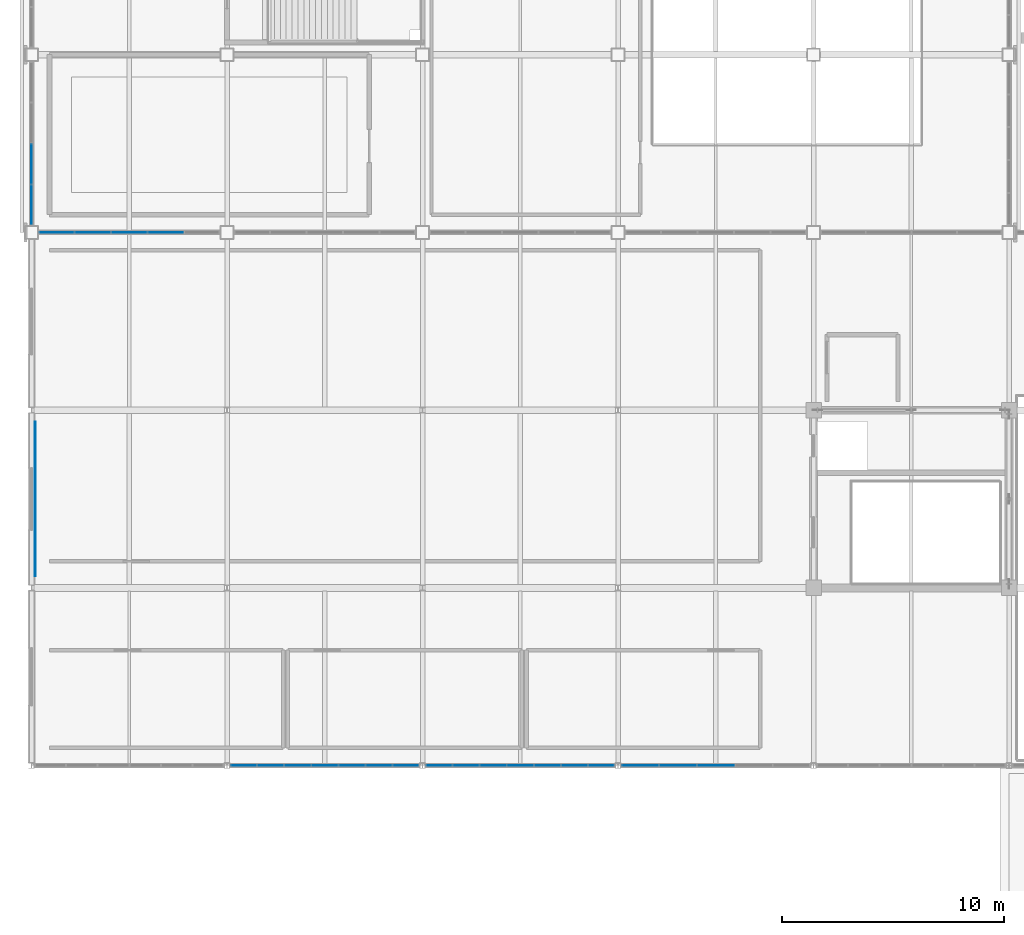
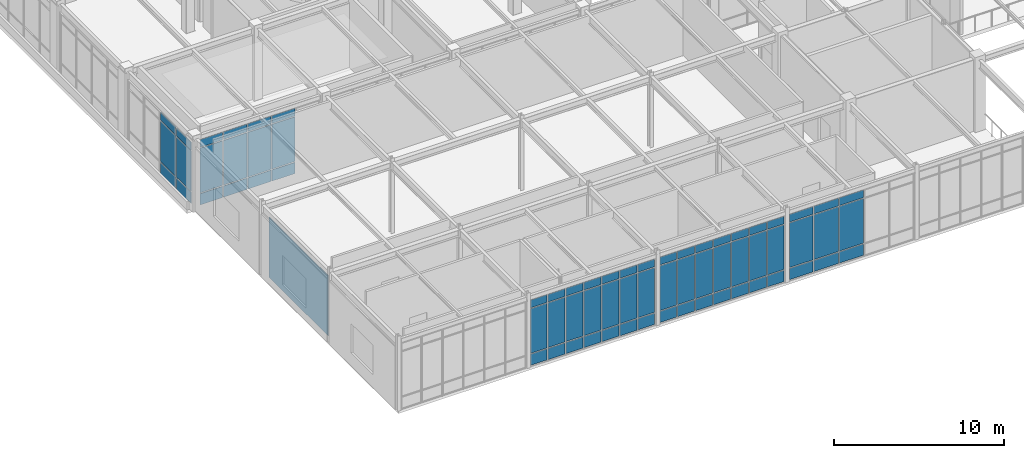
# One storey, part 82 of 184: 70 plates, 5 elements without a shape of their own.
"""IFC4 building model written with IfcOpenShell, lengths in metres."""

from ifc_helpers import new_model, si_unit, direction, frame, origin, origin_2d, place, context, subcontext, project, spatial, rectangle, extrude, material, layer, layer_set, type_object, element, aggregate, save


model = new_model("IFC4")

# Units and contexts
model_context = context("Model", 3, precision=1e-05, world=origin(), true_north=direction((0.0, 1.0)))
body_context = subcontext(model_context, "Body", "Model", "MODEL_VIEW")
ifc_project = project(units=[si_unit("LENGTHUNIT", "METRE"), si_unit("AREAUNIT", "SQUARE_METRE"), si_unit("VOLUMEUNIT", "CUBIC_METRE"), si_unit("PLANEANGLEUNIT", "RADIAN"), si_unit("MASSUNIT", "GRAM", prefix="KILO")], contexts=[model_context])

# Site, building, storey
site_placement = place(None, origin())
site = spatial("IfcSite", under=ifc_project, at=site_placement, CompositionType="ELEMENT")
building_placement = place(site_placement, origin())
building = spatial("IfcBuilding", under=site, at=building_placement, Name="Zhaolan Boulevard Law Courts", CompositionType="ELEMENT")
storey_placement = place(building_placement, frame((0.0, 0.0, 5.39990234375)))
storey = spatial("IfcBuildingStorey", under=building, at=storey_placement, Name="L01", CompositionType="ELEMENT", Elevation=5.39990234375)

# Curtain wall, plates
ifc_material_1 = material(Name="Thermally broken aluminium and low-E glazing", Category="aluminium")
curtain_wall_type_1 = type_object("IfcCurtainWallType", Name="CURTAIN WALL M5", PredefinedType="USERDEFINED", material=ifc_material_1)
curtain_wall_1_placement = place(storey_placement, origin())
curtain_wall_1 = element("IfcCurtainWall", 1, at=curtain_wall_1_placement, inside=storey, type_object=curtain_wall_type_1, Name="Curtain Wall CW-L01-029", ObjectType="CURTAIN WALL", PredefinedType="USERDEFINED")
ifc_material_2 = material(Name="Acoustic laminated low-E glazing", Category="glass")
ifc_layer_1 = layer(ifc_material_2, 0.031982421875)
ifc_layer_set_1 = layer_set([ifc_layer_1])
plate_type_1 = type_object("IfcPlateType", Name="CWPANEL LOW E32", PredefinedType="CURTAIN_PANEL", material=ifc_layer_set_1)
plate_1_placement = place(storey_placement, frame((9.5537109375, 6.0, 0.06494140625), z_axis=(0.0, 0.0, 1.0), x_axis=(1.0, 0.0, 0.0)))
plate_1 = element("IfcPlate", 2, at=plate_1_placement, type_object=plate_type_1, Name="CW-L01-029 panel 1.1", PredefinedType="CURTAIN_PANEL", context=body_context, shape_type="SweptSolid", body=[
    extrude(rectangle(XDim=1.123291015625, YDim=0.031982421875, at=origin_2d()), origin(), (0.0, 0.0, 1.0), 0.802490234375),
])
plate_2_placement = place(storey_placement, frame((9.5537109375, 6.0, 0.9326171875), z_axis=(0.0, 0.0, 1.0), x_axis=(1.0, 0.0, 0.0)))
plate_2 = element("IfcPlate", 3, at=plate_2_placement, type_object=plate_type_1, Name="CW-L01-029 panel 1.2", PredefinedType="CURTAIN_PANEL", context=body_context, shape_type="SweptSolid", body=[
    extrude(rectangle(XDim=1.123291015625, YDim=0.031982421875, at=origin_2d()), origin(), (0.0, 0.0, 1.0), 3.2080078125),
])
plate_3_placement = place(storey_placement, frame((9.5537109375, 6.0, 4.20556640625), z_axis=(0.0, 0.0, 1.0), x_axis=(1.0, 0.0, 0.0)))
plate_3 = element("IfcPlate", 4, at=plate_3_placement, type_object=plate_type_1, Name="CW-L01-029 panel 1.3", PredefinedType="CURTAIN_PANEL", context=body_context, shape_type="SweptSolid", body=[
    extrude(rectangle(XDim=1.123291015625, YDim=0.031982421875, at=origin_2d()), origin(), (0.0, 0.0, 1.0), 0.552490234375),
])
plate_4_placement = place(storey_placement, frame((10.75830078125, 6.0, 0.06494140625), z_axis=(0.0, 0.0, 1.0), x_axis=(1.0, 0.0, 0.0)))
plate_4 = element("IfcPlate", 5, at=plate_4_placement, type_object=plate_type_1, Name="CW-L01-029 panel 2.1", PredefinedType="CURTAIN_PANEL", context=body_context, shape_type="SweptSolid", body=[
    extrude(rectangle(XDim=1.15576171875, YDim=0.031982421875, at=origin_2d()), origin(), (0.0, 0.0, 1.0), 0.802490234375),
])
plate_5_placement = place(storey_placement, frame((10.75830078125, 6.0, 0.9326171875), z_axis=(0.0, 0.0, 1.0), x_axis=(1.0, 0.0, 0.0)))
plate_5 = element("IfcPlate", 6, at=plate_5_placement, type_object=plate_type_1, Name="CW-L01-029 panel 2.2", PredefinedType="CURTAIN_PANEL", context=body_context, shape_type="SweptSolid", body=[
    extrude(rectangle(XDim=1.15576171875, YDim=0.031982421875, at=origin_2d()), origin(), (0.0, 0.0, 1.0), 3.2080078125),
])
plate_6_placement = place(storey_placement, frame((10.75830078125, 6.0, 4.20556640625), z_axis=(0.0, 0.0, 1.0), x_axis=(1.0, 0.0, 0.0)))
plate_6 = element("IfcPlate", 7, at=plate_6_placement, type_object=plate_type_1, Name="CW-L01-029 panel 2.3", PredefinedType="CURTAIN_PANEL", context=body_context, shape_type="SweptSolid", body=[
    extrude(rectangle(XDim=1.15576171875, YDim=0.031982421875, at=origin_2d()), origin(), (0.0, 0.0, 1.0), 0.552490234375),
])
plate_7_placement = place(storey_placement, frame((11.979248046875, 6.0, 0.06494140625), z_axis=(0.0, 0.0, 1.0), x_axis=(1.0, 0.0, 0.0)))
plate_7 = element("IfcPlate", 8, at=plate_7_placement, type_object=plate_type_1, Name="CW-L01-029 panel 3.1", PredefinedType="CURTAIN_PANEL", context=body_context, shape_type="SweptSolid", body=[
    extrude(rectangle(XDim=1.15576171875, YDim=0.031982421875, at=origin_2d()), origin(), (0.0, 0.0, 1.0), 0.802490234375),
])
plate_8_placement = place(storey_placement, frame((11.979248046875, 6.0, 0.9326171875), z_axis=(0.0, 0.0, 1.0), x_axis=(1.0, 0.0, 0.0)))
plate_8 = element("IfcPlate", 9, at=plate_8_placement, type_object=plate_type_1, Name="CW-L01-029 panel 3.2", PredefinedType="CURTAIN_PANEL", context=body_context, shape_type="SweptSolid", body=[
    extrude(rectangle(XDim=1.15576171875, YDim=0.031982421875, at=origin_2d()), origin(), (0.0, 0.0, 1.0), 3.2080078125),
])
plate_9_placement = place(storey_placement, frame((11.979248046875, 6.0, 4.20556640625), z_axis=(0.0, 0.0, 1.0), x_axis=(1.0, 0.0, 0.0)))
plate_9 = element("IfcPlate", 10, at=plate_9_placement, type_object=plate_type_1, Name="CW-L01-029 panel 3.3", PredefinedType="CURTAIN_PANEL", context=body_context, shape_type="SweptSolid", body=[
    extrude(rectangle(XDim=1.15576171875, YDim=0.031982421875, at=origin_2d()), origin(), (0.0, 0.0, 1.0), 0.552490234375),
])
plate_10_placement = place(storey_placement, frame((13.199951171875, 6.0, 0.06494140625), z_axis=(0.0, 0.0, 1.0), x_axis=(1.0, 0.0, 0.0)))
plate_10 = element("IfcPlate", 11, at=plate_10_placement, type_object=plate_type_1, Name="CW-L01-029 panel 4.1", PredefinedType="CURTAIN_PANEL", context=body_context, shape_type="SweptSolid", body=[
    extrude(rectangle(XDim=1.15576171875, YDim=0.031982421875, at=origin_2d()), origin(), (0.0, 0.0, 1.0), 0.802490234375),
])
plate_11_placement = place(storey_placement, frame((13.199951171875, 6.0, 0.9326171875), z_axis=(0.0, 0.0, 1.0), x_axis=(1.0, 0.0, 0.0)))
plate_11 = element("IfcPlate", 12, at=plate_11_placement, type_object=plate_type_1, Name="CW-L01-029 panel 4.2", PredefinedType="CURTAIN_PANEL", context=body_context, shape_type="SweptSolid", body=[
    extrude(rectangle(XDim=1.15576171875, YDim=0.031982421875, at=origin_2d()), origin(), (0.0, 0.0, 1.0), 3.2080078125),
])
plate_12_placement = place(storey_placement, frame((13.199951171875, 6.0, 4.20556640625), z_axis=(0.0, 0.0, 1.0), x_axis=(1.0, 0.0, 0.0)))
plate_12 = element("IfcPlate", 13, at=plate_12_placement, type_object=plate_type_1, Name="CW-L01-029 panel 4.3", PredefinedType="CURTAIN_PANEL", context=body_context, shape_type="SweptSolid", body=[
    extrude(rectangle(XDim=1.15576171875, YDim=0.031982421875, at=origin_2d()), origin(), (0.0, 0.0, 1.0), 0.552490234375),
])
plate_13_placement = place(storey_placement, frame((14.4208984375, 6.0, 0.06494140625), z_axis=(0.0, 0.0, 1.0), x_axis=(1.0, 0.0, 0.0)))
plate_13 = element("IfcPlate", 14, at=plate_13_placement, type_object=plate_type_1, Name="CW-L01-029 panel 5.1", PredefinedType="CURTAIN_PANEL", context=body_context, shape_type="SweptSolid", body=[
    extrude(rectangle(XDim=1.15576171875, YDim=0.031982421875, at=origin_2d()), origin(), (0.0, 0.0, 1.0), 0.802490234375),
])
plate_14_placement = place(storey_placement, frame((14.4208984375, 6.0, 0.9326171875), z_axis=(0.0, 0.0, 1.0), x_axis=(1.0, 0.0, 0.0)))
plate_14 = element("IfcPlate", 15, at=plate_14_placement, type_object=plate_type_1, Name="CW-L01-029 panel 5.2", PredefinedType="CURTAIN_PANEL", context=body_context, shape_type="SweptSolid", body=[
    extrude(rectangle(XDim=1.15576171875, YDim=0.031982421875, at=origin_2d()), origin(), (0.0, 0.0, 1.0), 3.2080078125),
])
plate_15_placement = place(storey_placement, frame((14.4208984375, 6.0, 4.20556640625), z_axis=(0.0, 0.0, 1.0), x_axis=(1.0, 0.0, 0.0)))
plate_15 = element("IfcPlate", 16, at=plate_15_placement, type_object=plate_type_1, Name="CW-L01-029 panel 5.3", PredefinedType="CURTAIN_PANEL", context=body_context, shape_type="SweptSolid", body=[
    extrude(rectangle(XDim=1.15576171875, YDim=0.031982421875, at=origin_2d()), origin(), (0.0, 0.0, 1.0), 0.552490234375),
])
plate_16_placement = place(storey_placement, frame((15.6416015625, 6.0, 0.06494140625), z_axis=(0.0, 0.0, 1.0), x_axis=(1.0, 0.0, 0.0)))
plate_16 = element("IfcPlate", 17, at=plate_16_placement, type_object=plate_type_1, Name="CW-L01-029 panel 6.1", PredefinedType="CURTAIN_PANEL", context=body_context, shape_type="SweptSolid", body=[
    extrude(rectangle(XDim=1.15576171875, YDim=0.031982421875, at=origin_2d()), origin(), (0.0, 0.0, 1.0), 0.802490234375),
])
plate_17_placement = place(storey_placement, frame((15.6416015625, 6.0, 0.9326171875), z_axis=(0.0, 0.0, 1.0), x_axis=(1.0, 0.0, 0.0)))
plate_17 = element("IfcPlate", 18, at=plate_17_placement, type_object=plate_type_1, Name="CW-L01-029 panel 6.2", PredefinedType="CURTAIN_PANEL", context=body_context, shape_type="SweptSolid", body=[
    extrude(rectangle(XDim=1.15576171875, YDim=0.031982421875, at=origin_2d()), origin(), (0.0, 0.0, 1.0), 3.2080078125),
])
plate_18_placement = place(storey_placement, frame((15.6416015625, 6.0, 4.20556640625), z_axis=(0.0, 0.0, 1.0), x_axis=(1.0, 0.0, 0.0)))
plate_18 = element("IfcPlate", 19, at=plate_18_placement, type_object=plate_type_1, Name="CW-L01-029 panel 6.3", PredefinedType="CURTAIN_PANEL", context=body_context, shape_type="SweptSolid", body=[
    extrude(rectangle(XDim=1.15576171875, YDim=0.031982421875, at=origin_2d()), origin(), (0.0, 0.0, 1.0), 0.552490234375),
])
plate_19_placement = place(storey_placement, frame((16.846435546875, 6.0, 0.06494140625), z_axis=(0.0, 0.0, 1.0), x_axis=(1.0, 0.0, 0.0)))
plate_19 = element("IfcPlate", 20, at=plate_19_placement, type_object=plate_type_1, Name="CW-L01-029 panel 7.1", PredefinedType="CURTAIN_PANEL", context=body_context, shape_type="SweptSolid", body=[
    extrude(rectangle(XDim=1.123291015625, YDim=0.031982421875, at=origin_2d()), origin(), (0.0, 0.0, 1.0), 0.802490234375),
])
plate_20_placement = place(storey_placement, frame((16.846435546875, 6.0, 0.9326171875), z_axis=(0.0, 0.0, 1.0), x_axis=(1.0, 0.0, 0.0)))
plate_20 = element("IfcPlate", 21, at=plate_20_placement, type_object=plate_type_1, Name="CW-L01-029 panel 7.2", PredefinedType="CURTAIN_PANEL", context=body_context, shape_type="SweptSolid", body=[
    extrude(rectangle(XDim=1.123291015625, YDim=0.031982421875, at=origin_2d()), origin(), (0.0, 0.0, 1.0), 3.2080078125),
])
plate_21_placement = place(storey_placement, frame((16.846435546875, 6.0, 4.20556640625), z_axis=(0.0, 0.0, 1.0), x_axis=(1.0, 0.0, 0.0)))
plate_21 = element("IfcPlate", 22, at=plate_21_placement, type_object=plate_type_1, Name="CW-L01-029 panel 7.3", PredefinedType="CURTAIN_PANEL", context=body_context, shape_type="SweptSolid", body=[
    extrude(rectangle(XDim=1.123291015625, YDim=0.031982421875, at=origin_2d()), origin(), (0.0, 0.0, 1.0), 0.552490234375),
])
aggregate(curtain_wall_1, [plate_1, plate_2, plate_3, plate_4, plate_5, plate_6, plate_7, plate_8, plate_9, plate_10, plate_11, plate_12, plate_13, plate_14, plate_15, plate_16, plate_17, plate_18, plate_19, plate_20, plate_21])

ifc_material_3 = material(Name="Thermally broken aluminium and low-E glazing", Category="aluminium")
curtain_wall_type_2 = type_object("IfcCurtainWallType", Name="CURTAIN WALL M6", PredefinedType="USERDEFINED", material=ifc_material_3)
curtain_wall_2_placement = place(storey_placement, origin())
curtain_wall_2 = element("IfcCurtainWall", 23, at=curtain_wall_2_placement, inside=storey, type_object=curtain_wall_type_2, Name="Curtain Wall CW-L01-030", ObjectType="CURTAIN WALL", PredefinedType="USERDEFINED")
plate_22_placement = place(storey_placement, frame((18.353759765625, 6.0, 0.06494140625), z_axis=(0.0, 0.0, 1.0), x_axis=(1.0, 0.0, 0.0)))
plate_22 = element("IfcPlate", 24, at=plate_22_placement, type_object=plate_type_1, Name="CW-L01-030 panel 1.1", PredefinedType="CURTAIN_PANEL", context=body_context, shape_type="SweptSolid", body=[
    extrude(rectangle(XDim=1.123291015625, YDim=0.031982421875, at=origin_2d()), origin(), (0.0, 0.0, 1.0), 0.802490234375),
])
plate_23_placement = place(storey_placement, frame((18.353759765625, 6.0, 0.9326171875), z_axis=(0.0, 0.0, 1.0), x_axis=(1.0, 0.0, 0.0)))
plate_23 = element("IfcPlate", 25, at=plate_23_placement, type_object=plate_type_1, Name="CW-L01-030 panel 1.2", PredefinedType="CURTAIN_PANEL", context=body_context, shape_type="SweptSolid", body=[
    extrude(rectangle(XDim=1.123291015625, YDim=0.031982421875, at=origin_2d()), origin(), (0.0, 0.0, 1.0), 3.2080078125),
])
plate_24_placement = place(storey_placement, frame((18.353759765625, 6.0, 4.20556640625), z_axis=(0.0, 0.0, 1.0), x_axis=(1.0, 0.0, 0.0)))
plate_24 = element("IfcPlate", 26, at=plate_24_placement, type_object=plate_type_1, Name="CW-L01-030 panel 1.3", PredefinedType="CURTAIN_PANEL", context=body_context, shape_type="SweptSolid", body=[
    extrude(rectangle(XDim=1.123291015625, YDim=0.031982421875, at=origin_2d()), origin(), (0.0, 0.0, 1.0), 0.552490234375),
])
plate_25_placement = place(storey_placement, frame((19.558349609375, 6.0, 0.06494140625), z_axis=(0.0, 0.0, 1.0), x_axis=(1.0, 0.0, 0.0)))
plate_25 = element("IfcPlate", 27, at=plate_25_placement, type_object=plate_type_1, Name="CW-L01-030 panel 2.1", PredefinedType="CURTAIN_PANEL", context=body_context, shape_type="SweptSolid", body=[
    extrude(rectangle(XDim=1.15576171875, YDim=0.031982421875, at=origin_2d()), origin(), (0.0, 0.0, 1.0), 0.802490234375),
])
plate_26_placement = place(storey_placement, frame((19.558349609375, 6.0, 0.9326171875), z_axis=(0.0, 0.0, 1.0), x_axis=(1.0, 0.0, 0.0)))
plate_26 = element("IfcPlate", 28, at=plate_26_placement, type_object=plate_type_1, Name="CW-L01-030 panel 2.2", PredefinedType="CURTAIN_PANEL", context=body_context, shape_type="SweptSolid", body=[
    extrude(rectangle(XDim=1.15576171875, YDim=0.031982421875, at=origin_2d()), origin(), (0.0, 0.0, 1.0), 3.2080078125),
])
plate_27_placement = place(storey_placement, frame((19.558349609375, 6.0, 4.20556640625), z_axis=(0.0, 0.0, 1.0), x_axis=(1.0, 0.0, 0.0)))
plate_27 = element("IfcPlate", 29, at=plate_27_placement, type_object=plate_type_1, Name="CW-L01-030 panel 2.3", PredefinedType="CURTAIN_PANEL", context=body_context, shape_type="SweptSolid", body=[
    extrude(rectangle(XDim=1.15576171875, YDim=0.031982421875, at=origin_2d()), origin(), (0.0, 0.0, 1.0), 0.552490234375),
])
plate_28_placement = place(storey_placement, frame((20.779052734375, 6.0, 0.06494140625), z_axis=(0.0, 0.0, 1.0), x_axis=(1.0, 0.0, 0.0)))
plate_28 = element("IfcPlate", 30, at=plate_28_placement, type_object=plate_type_1, Name="CW-L01-030 panel 3.1", PredefinedType="CURTAIN_PANEL", context=body_context, shape_type="SweptSolid", body=[
    extrude(rectangle(XDim=1.15576171875, YDim=0.031982421875, at=origin_2d()), origin(), (0.0, 0.0, 1.0), 0.802490234375),
])
plate_29_placement = place(storey_placement, frame((20.779052734375, 6.0, 0.9326171875), z_axis=(0.0, 0.0, 1.0), x_axis=(1.0, 0.0, 0.0)))
plate_29 = element("IfcPlate", 31, at=plate_29_placement, type_object=plate_type_1, Name="CW-L01-030 panel 3.2", PredefinedType="CURTAIN_PANEL", context=body_context, shape_type="SweptSolid", body=[
    extrude(rectangle(XDim=1.15576171875, YDim=0.031982421875, at=origin_2d()), origin(), (0.0, 0.0, 1.0), 3.2080078125),
])
plate_30_placement = place(storey_placement, frame((20.779052734375, 6.0, 4.20556640625), z_axis=(0.0, 0.0, 1.0), x_axis=(1.0, 0.0, 0.0)))
plate_30 = element("IfcPlate", 32, at=plate_30_placement, type_object=plate_type_1, Name="CW-L01-030 panel 3.3", PredefinedType="CURTAIN_PANEL", context=body_context, shape_type="SweptSolid", body=[
    extrude(rectangle(XDim=1.15576171875, YDim=0.031982421875, at=origin_2d()), origin(), (0.0, 0.0, 1.0), 0.552490234375),
])
plate_31_placement = place(storey_placement, frame((22.0, 6.0, 0.06494140625), z_axis=(0.0, 0.0, 1.0), x_axis=(1.0, 0.0, 0.0)))
plate_31 = element("IfcPlate", 33, at=plate_31_placement, type_object=plate_type_1, Name="CW-L01-030 panel 4.1", PredefinedType="CURTAIN_PANEL", context=body_context, shape_type="SweptSolid", body=[
    extrude(rectangle(XDim=1.15576171875, YDim=0.031982421875, at=origin_2d()), origin(), (0.0, 0.0, 1.0), 0.802490234375),
])
plate_32_placement = place(storey_placement, frame((22.0, 6.0, 0.9326171875), z_axis=(0.0, 0.0, 1.0), x_axis=(1.0, 0.0, 0.0)))
plate_32 = element("IfcPlate", 34, at=plate_32_placement, type_object=plate_type_1, Name="CW-L01-030 panel 4.2", PredefinedType="CURTAIN_PANEL", context=body_context, shape_type="SweptSolid", body=[
    extrude(rectangle(XDim=1.15576171875, YDim=0.031982421875, at=origin_2d()), origin(), (0.0, 0.0, 1.0), 3.2080078125),
])
plate_33_placement = place(storey_placement, frame((22.0, 6.0, 4.20556640625), z_axis=(0.0, 0.0, 1.0), x_axis=(1.0, 0.0, 0.0)))
plate_33 = element("IfcPlate", 35, at=plate_33_placement, type_object=plate_type_1, Name="CW-L01-030 panel 4.3", PredefinedType="CURTAIN_PANEL", context=body_context, shape_type="SweptSolid", body=[
    extrude(rectangle(XDim=1.15576171875, YDim=0.031982421875, at=origin_2d()), origin(), (0.0, 0.0, 1.0), 0.552490234375),
])
plate_34_placement = place(storey_placement, frame((23.220947265625, 6.0, 0.06494140625), z_axis=(0.0, 0.0, 1.0), x_axis=(1.0, 0.0, 0.0)))
plate_34 = element("IfcPlate", 36, at=plate_34_placement, type_object=plate_type_1, Name="CW-L01-030 panel 5.1", PredefinedType="CURTAIN_PANEL", context=body_context, shape_type="SweptSolid", body=[
    extrude(rectangle(XDim=1.15576171875, YDim=0.031982421875, at=origin_2d()), origin(), (0.0, 0.0, 1.0), 0.802490234375),
])
plate_35_placement = place(storey_placement, frame((23.220947265625, 6.0, 0.9326171875), z_axis=(0.0, 0.0, 1.0), x_axis=(1.0, 0.0, 0.0)))
plate_35 = element("IfcPlate", 37, at=plate_35_placement, type_object=plate_type_1, Name="CW-L01-030 panel 5.2", PredefinedType="CURTAIN_PANEL", context=body_context, shape_type="SweptSolid", body=[
    extrude(rectangle(XDim=1.15576171875, YDim=0.031982421875, at=origin_2d()), origin(), (0.0, 0.0, 1.0), 3.2080078125),
])
plate_36_placement = place(storey_placement, frame((23.220947265625, 6.0, 4.20556640625), z_axis=(0.0, 0.0, 1.0), x_axis=(1.0, 0.0, 0.0)))
plate_36 = element("IfcPlate", 38, at=plate_36_placement, type_object=plate_type_1, Name="CW-L01-030 panel 5.3", PredefinedType="CURTAIN_PANEL", context=body_context, shape_type="SweptSolid", body=[
    extrude(rectangle(XDim=1.15576171875, YDim=0.031982421875, at=origin_2d()), origin(), (0.0, 0.0, 1.0), 0.552490234375),
])
plate_37_placement = place(storey_placement, frame((24.441650390625, 6.0, 0.06494140625), z_axis=(0.0, 0.0, 1.0), x_axis=(1.0, 0.0, 0.0)))
plate_37 = element("IfcPlate", 39, at=plate_37_placement, type_object=plate_type_1, Name="CW-L01-030 panel 6.1", PredefinedType="CURTAIN_PANEL", context=body_context, shape_type="SweptSolid", body=[
    extrude(rectangle(XDim=1.15576171875, YDim=0.031982421875, at=origin_2d()), origin(), (0.0, 0.0, 1.0), 0.802490234375),
])
plate_38_placement = place(storey_placement, frame((24.441650390625, 6.0, 0.9326171875), z_axis=(0.0, 0.0, 1.0), x_axis=(1.0, 0.0, 0.0)))
plate_38 = element("IfcPlate", 40, at=plate_38_placement, type_object=plate_type_1, Name="CW-L01-030 panel 6.2", PredefinedType="CURTAIN_PANEL", context=body_context, shape_type="SweptSolid", body=[
    extrude(rectangle(XDim=1.15576171875, YDim=0.031982421875, at=origin_2d()), origin(), (0.0, 0.0, 1.0), 3.2080078125),
])
plate_39_placement = place(storey_placement, frame((24.441650390625, 6.0, 4.20556640625), z_axis=(0.0, 0.0, 1.0), x_axis=(1.0, 0.0, 0.0)))
plate_39 = element("IfcPlate", 41, at=plate_39_placement, type_object=plate_type_1, Name="CW-L01-030 panel 6.3", PredefinedType="CURTAIN_PANEL", context=body_context, shape_type="SweptSolid", body=[
    extrude(rectangle(XDim=1.15576171875, YDim=0.031982421875, at=origin_2d()), origin(), (0.0, 0.0, 1.0), 0.552490234375),
])
plate_40_placement = place(storey_placement, frame((25.646240234375, 6.0, 0.06494140625), z_axis=(0.0, 0.0, 1.0), x_axis=(1.0, 0.0, 0.0)))
plate_40 = element("IfcPlate", 42, at=plate_40_placement, type_object=plate_type_1, Name="CW-L01-030 panel 7.1", PredefinedType="CURTAIN_PANEL", context=body_context, shape_type="SweptSolid", body=[
    extrude(rectangle(XDim=1.123291015625, YDim=0.031982421875, at=origin_2d()), origin(), (0.0, 0.0, 1.0), 0.802490234375),
])
plate_41_placement = place(storey_placement, frame((25.646240234375, 6.0, 0.9326171875), z_axis=(0.0, 0.0, 1.0), x_axis=(1.0, 0.0, 0.0)))
plate_41 = element("IfcPlate", 43, at=plate_41_placement, type_object=plate_type_1, Name="CW-L01-030 panel 7.2", PredefinedType="CURTAIN_PANEL", context=body_context, shape_type="SweptSolid", body=[
    extrude(rectangle(XDim=1.123291015625, YDim=0.031982421875, at=origin_2d()), origin(), (0.0, 0.0, 1.0), 3.2080078125),
])
plate_42_placement = place(storey_placement, frame((25.646240234375, 6.0, 4.20556640625), z_axis=(0.0, 0.0, 1.0), x_axis=(1.0, 0.0, 0.0)))
plate_42 = element("IfcPlate", 44, at=plate_42_placement, type_object=plate_type_1, Name="CW-L01-030 panel 7.3", PredefinedType="CURTAIN_PANEL", context=body_context, shape_type="SweptSolid", body=[
    extrude(rectangle(XDim=1.123291015625, YDim=0.031982421875, at=origin_2d()), origin(), (0.0, 0.0, 1.0), 0.552490234375),
])
aggregate(curtain_wall_2, [plate_22, plate_23, plate_24, plate_25, plate_26, plate_27, plate_28, plate_29, plate_30, plate_31, plate_32, plate_33, plate_34, plate_35, plate_36, plate_37, plate_38, plate_39, plate_40, plate_41, plate_42])

ifc_material_4 = material(Name="Thermally broken aluminium and low-E glazing", Category="aluminium")
curtain_wall_type_3 = type_object("IfcCurtainWallType", Name="CURTAIN WALL M7", PredefinedType="USERDEFINED", material=ifc_material_4)
curtain_wall_3_placement = place(storey_placement, origin())
curtain_wall_3 = element("IfcCurtainWall", 45, at=curtain_wall_3_placement, inside=storey, type_object=curtain_wall_type_3, Name="Curtain Wall CW-L01-031", ObjectType="CURTAIN WALL", PredefinedType="USERDEFINED")
plate_43_placement = place(storey_placement, frame((27.39794921875, 6.0, 0.06494140625), z_axis=(0.0, 0.0, 1.0), x_axis=(1.0, 0.0, 0.0)))
plate_43 = element("IfcPlate", 46, at=plate_43_placement, type_object=plate_type_1, Name="CW-L01-031 panel 1.1", PredefinedType="CURTAIN_PANEL", context=body_context, shape_type="SweptSolid", body=[
    extrude(rectangle(XDim=1.61181640625, YDim=0.031982421875, at=origin_2d()), origin(), (0.0, 0.0, 1.0), 0.802490234375),
])
plate_44_placement = place(storey_placement, frame((27.39794921875, 6.0, 0.9326171875), z_axis=(0.0, 0.0, 1.0), x_axis=(1.0, 0.0, 0.0)))
plate_44 = element("IfcPlate", 47, at=plate_44_placement, type_object=plate_type_1, Name="CW-L01-031 panel 1.2", PredefinedType="CURTAIN_PANEL", context=body_context, shape_type="SweptSolid", body=[
    extrude(rectangle(XDim=1.61181640625, YDim=0.031982421875, at=origin_2d()), origin(), (0.0, 0.0, 1.0), 3.2080078125),
])
plate_45_placement = place(storey_placement, frame((27.39794921875, 6.0, 4.20556640625), z_axis=(0.0, 0.0, 1.0), x_axis=(1.0, 0.0, 0.0)))
plate_45 = element("IfcPlate", 48, at=plate_45_placement, type_object=plate_type_1, Name="CW-L01-031 panel 1.3", PredefinedType="CURTAIN_PANEL", context=body_context, shape_type="SweptSolid", body=[
    extrude(rectangle(XDim=1.61181640625, YDim=0.031982421875, at=origin_2d()), origin(), (0.0, 0.0, 1.0), 0.552490234375),
])
plate_46_placement = place(storey_placement, frame((29.0908203125, 6.0, 0.06494140625), z_axis=(0.0, 0.0, 1.0), x_axis=(1.0, 0.0, 0.0)))
plate_46 = element("IfcPlate", 49, at=plate_46_placement, type_object=plate_type_1, Name="CW-L01-031 panel 2.1", PredefinedType="CURTAIN_PANEL", context=body_context, shape_type="SweptSolid", body=[
    extrude(rectangle(XDim=1.644287109375, YDim=0.031982421875, at=origin_2d()), origin(), (0.0, 0.0, 1.0), 0.802490234375),
])
plate_47_placement = place(storey_placement, frame((29.0908203125, 6.0, 0.9326171875), z_axis=(0.0, 0.0, 1.0), x_axis=(1.0, 0.0, 0.0)))
plate_47 = element("IfcPlate", 50, at=plate_47_placement, type_object=plate_type_1, Name="CW-L01-031 panel 2.2", PredefinedType="CURTAIN_PANEL", context=body_context, shape_type="SweptSolid", body=[
    extrude(rectangle(XDim=1.644287109375, YDim=0.031982421875, at=origin_2d()), origin(), (0.0, 0.0, 1.0), 3.2080078125),
])
plate_48_placement = place(storey_placement, frame((29.0908203125, 6.0, 4.20556640625), z_axis=(0.0, 0.0, 1.0), x_axis=(1.0, 0.0, 0.0)))
plate_48 = element("IfcPlate", 51, at=plate_48_placement, type_object=plate_type_1, Name="CW-L01-031 panel 2.3", PredefinedType="CURTAIN_PANEL", context=body_context, shape_type="SweptSolid", body=[
    extrude(rectangle(XDim=1.644287109375, YDim=0.031982421875, at=origin_2d()), origin(), (0.0, 0.0, 1.0), 0.552490234375),
])
plate_49_placement = place(storey_placement, frame((30.800048828125, 6.0, 0.06494140625), z_axis=(0.0, 0.0, 1.0), x_axis=(1.0, 0.0, 0.0)))
plate_49 = element("IfcPlate", 52, at=plate_49_placement, type_object=plate_type_1, Name="CW-L01-031 panel 3.1", PredefinedType="CURTAIN_PANEL", context=body_context, shape_type="SweptSolid", body=[
    extrude(rectangle(XDim=1.644287109375, YDim=0.031982421875, at=origin_2d()), origin(), (0.0, 0.0, 1.0), 0.802490234375),
])
plate_50_placement = place(storey_placement, frame((30.800048828125, 6.0, 0.9326171875), z_axis=(0.0, 0.0, 1.0), x_axis=(1.0, 0.0, 0.0)))
plate_50 = element("IfcPlate", 53, at=plate_50_placement, type_object=plate_type_1, Name="CW-L01-031 panel 3.2", PredefinedType="CURTAIN_PANEL", context=body_context, shape_type="SweptSolid", body=[
    extrude(rectangle(XDim=1.644287109375, YDim=0.031982421875, at=origin_2d()), origin(), (0.0, 0.0, 1.0), 3.2080078125),
])
plate_51_placement = place(storey_placement, frame((30.800048828125, 6.0, 4.20556640625), z_axis=(0.0, 0.0, 1.0), x_axis=(1.0, 0.0, 0.0)))
plate_51 = element("IfcPlate", 54, at=plate_51_placement, type_object=plate_type_1, Name="CW-L01-031 panel 3.3", PredefinedType="CURTAIN_PANEL", context=body_context, shape_type="SweptSolid", body=[
    extrude(rectangle(XDim=1.644287109375, YDim=0.031982421875, at=origin_2d()), origin(), (0.0, 0.0, 1.0), 0.552490234375),
])
aggregate(curtain_wall_3, [plate_43, plate_44, plate_45, plate_46, plate_47, plate_48, plate_49, plate_50, plate_51])

ifc_material_5 = material(Name="Thermally broken aluminium and low-E glazing", Category="aluminium")
curtain_wall_type_4 = type_object("IfcCurtainWallType", Name="CURTAIN WALL M19", PredefinedType="USERDEFINED", material=ifc_material_5)
curtain_wall_4_placement = place(storey_placement, origin())
curtain_wall_4 = element("IfcCurtainWall", 55, at=curtain_wall_4_placement, inside=storey, type_object=curtain_wall_type_4, Name="Curtain Wall CW-L01-043", ObjectType="CURTAIN WALL", PredefinedType="USERDEFINED")
plate_52_placement = place(storey_placement, frame((6.039306640625, 30.0, 0.06494140625), z_axis=(0.0, 0.0, 1.0), x_axis=(-1.0, 0.0, 0.0)))
plate_52 = element("IfcPlate", 56, at=plate_52_placement, type_object=plate_type_1, Name="CW-L01-043 panel 2.1", PredefinedType="CURTAIN_PANEL", context=body_context, shape_type="SweptSolid", body=[
    extrude(rectangle(XDim=1.57421875, YDim=0.031982421875, at=origin_2d()), origin(), (0.0, 0.0, 1.0), 0.802490234375),
])
plate_53_placement = place(storey_placement, frame((6.039306640625, 30.0, 0.9326171875), z_axis=(0.0, 0.0, 1.0), x_axis=(-1.0, 0.0, 0.0)))
plate_53 = element("IfcPlate", 57, at=plate_53_placement, type_object=plate_type_1, Name="CW-L01-043 panel 2.2", PredefinedType="CURTAIN_PANEL", context=body_context, shape_type="SweptSolid", body=[
    extrude(rectangle(XDim=1.57421875, YDim=0.031982421875, at=origin_2d()), origin(), (0.0, 0.0, 1.0), 3.2080078125),
])
plate_54_placement = place(storey_placement, frame((6.039306640625, 30.0, 4.20556640625), z_axis=(0.0, 0.0, 1.0), x_axis=(-1.0, 0.0, 0.0)))
plate_54 = element("IfcPlate", 58, at=plate_54_placement, type_object=plate_type_1, Name="CW-L01-043 panel 2.3", PredefinedType="CURTAIN_PANEL", context=body_context, shape_type="SweptSolid", body=[
    extrude(rectangle(XDim=1.57421875, YDim=0.031982421875, at=origin_2d()), origin(), (0.0, 0.0, 1.0), 0.552490234375),
])
plate_55_placement = place(storey_placement, frame((4.39990234375, 30.0, 0.06494140625), z_axis=(0.0, 0.0, 1.0), x_axis=(-1.0, 0.0, 0.0)))
plate_55 = element("IfcPlate", 59, at=plate_55_placement, type_object=plate_type_1, Name="CW-L01-043 panel 3.1", PredefinedType="CURTAIN_PANEL", context=body_context, shape_type="SweptSolid", body=[
    extrude(rectangle(XDim=1.57421875, YDim=0.031982421875, at=origin_2d()), origin(), (0.0, 0.0, 1.0), 0.802490234375),
])
plate_56_placement = place(storey_placement, frame((4.39990234375, 30.0, 0.9326171875), z_axis=(0.0, 0.0, 1.0), x_axis=(-1.0, 0.0, 0.0)))
plate_56 = element("IfcPlate", 60, at=plate_56_placement, type_object=plate_type_1, Name="CW-L01-043 panel 3.2", PredefinedType="CURTAIN_PANEL", context=body_context, shape_type="SweptSolid", body=[
    extrude(rectangle(XDim=1.57421875, YDim=0.031982421875, at=origin_2d()), origin(), (0.0, 0.0, 1.0), 3.2080078125),
])
plate_57_placement = place(storey_placement, frame((4.39990234375, 30.0, 4.20556640625), z_axis=(0.0, 0.0, 1.0), x_axis=(-1.0, 0.0, 0.0)))
plate_57 = element("IfcPlate", 61, at=plate_57_placement, type_object=plate_type_1, Name="CW-L01-043 panel 3.3", PredefinedType="CURTAIN_PANEL", context=body_context, shape_type="SweptSolid", body=[
    extrude(rectangle(XDim=1.57421875, YDim=0.031982421875, at=origin_2d()), origin(), (0.0, 0.0, 1.0), 0.552490234375),
])
plate_58_placement = place(storey_placement, frame((2.7607421875, 30.0, 0.06494140625), z_axis=(0.0, 0.0, 1.0), x_axis=(-1.0, 0.0, 0.0)))
plate_58 = element("IfcPlate", 62, at=plate_58_placement, type_object=plate_type_1, Name="CW-L01-043 panel 4.1", PredefinedType="CURTAIN_PANEL", context=body_context, shape_type="SweptSolid", body=[
    extrude(rectangle(XDim=1.57421875, YDim=0.031982421875, at=origin_2d()), origin(), (0.0, 0.0, 1.0), 0.802490234375),
])
plate_59_placement = place(storey_placement, frame((2.7607421875, 30.0, 0.9326171875), z_axis=(0.0, 0.0, 1.0), x_axis=(-1.0, 0.0, 0.0)))
plate_59 = element("IfcPlate", 63, at=plate_59_placement, type_object=plate_type_1, Name="CW-L01-043 panel 4.2", PredefinedType="CURTAIN_PANEL", context=body_context, shape_type="SweptSolid", body=[
    extrude(rectangle(XDim=1.57421875, YDim=0.031982421875, at=origin_2d()), origin(), (0.0, 0.0, 1.0), 3.2080078125),
])
plate_60_placement = place(storey_placement, frame((2.7607421875, 30.0, 4.20556640625), z_axis=(0.0, 0.0, 1.0), x_axis=(-1.0, 0.0, 0.0)))
plate_60 = element("IfcPlate", 64, at=plate_60_placement, type_object=plate_type_1, Name="CW-L01-043 panel 4.3", PredefinedType="CURTAIN_PANEL", context=body_context, shape_type="SweptSolid", body=[
    extrude(rectangle(XDim=1.57421875, YDim=0.031982421875, at=origin_2d()), origin(), (0.0, 0.0, 1.0), 0.552490234375),
])
plate_61_placement = place(storey_placement, frame((1.137939453125, 30.0, 0.06494140625), z_axis=(0.0, 0.0, 1.0), x_axis=(-1.0, 0.0, 0.0)))
plate_61 = element("IfcPlate", 65, at=plate_61_placement, type_object=plate_type_1, Name="CW-L01-043 panel 5.1", PredefinedType="CURTAIN_PANEL", context=body_context, shape_type="SweptSolid", body=[
    extrude(rectangle(XDim=1.541748046875, YDim=0.031982421875, at=origin_2d()), origin(), (0.0, 0.0, 1.0), 0.802490234375),
])
plate_62_placement = place(storey_placement, frame((1.137939453125, 30.0, 0.9326171875), z_axis=(0.0, 0.0, 1.0), x_axis=(-1.0, 0.0, 0.0)))
plate_62 = element("IfcPlate", 66, at=plate_62_placement, type_object=plate_type_1, Name="CW-L01-043 panel 5.2", PredefinedType="CURTAIN_PANEL", context=body_context, shape_type="SweptSolid", body=[
    extrude(rectangle(XDim=1.541748046875, YDim=0.031982421875, at=origin_2d()), origin(), (0.0, 0.0, 1.0), 3.2080078125),
])
plate_63_placement = place(storey_placement, frame((1.137939453125, 30.0, 4.20556640625), z_axis=(0.0, 0.0, 1.0), x_axis=(-1.0, 0.0, 0.0)))
plate_63 = element("IfcPlate", 67, at=plate_63_placement, type_object=plate_type_1, Name="CW-L01-043 panel 5.3", PredefinedType="CURTAIN_PANEL", context=body_context, shape_type="SweptSolid", body=[
    extrude(rectangle(XDim=1.541748046875, YDim=0.031982421875, at=origin_2d()), origin(), (0.0, 0.0, 1.0), 0.552490234375),
])
aggregate(curtain_wall_4, [plate_52, plate_53, plate_54, plate_55, plate_56, plate_57, plate_58, plate_59, plate_60, plate_61, plate_62, plate_63])

curtain_wall_5_placement = place(storey_placement, origin())
curtain_wall_5 = element("IfcCurtainWall", 68, at=curtain_wall_5_placement, inside=storey, type_object=curtain_wall_type_4, Name="Curtain Wall CW-L01-139", ObjectType="CURTAIN WALL", PredefinedType="USERDEFINED")
plate_64_placement = place(storey_placement, frame((0.0, 33.075439453125, 0.06494140625), z_axis=(0.0, 0.0, 1.0), x_axis=(0.0, -1.0, 0.0)))
plate_64 = element("IfcPlate", 69, at=plate_64_placement, type_object=plate_type_1, Name="CW-L01-139 panel 3.1", PredefinedType="CURTAIN_PANEL", context=body_context, shape_type="SweptSolid", body=[
    extrude(rectangle(XDim=1.783935546875, YDim=0.031982421875, at=origin_2d()), origin(), (0.0, 0.0, 1.0), 0.802490234375),
])
plate_65_placement = place(storey_placement, frame((0.0, 33.075439453125, 0.9326171875), z_axis=(0.0, 0.0, 1.0), x_axis=(0.0, -1.0, 0.0)))
plate_65 = element("IfcPlate", 70, at=plate_65_placement, type_object=plate_type_1, Name="CW-L01-139 panel 3.2", PredefinedType="CURTAIN_PANEL", context=body_context, shape_type="SweptSolid", body=[
    extrude(rectangle(XDim=1.783935546875, YDim=0.031982421875, at=origin_2d()), origin(), (0.0, 0.0, 1.0), 2.907958984375),
])
plate_66_placement = place(storey_placement, frame((0.0, 33.075439453125, 3.90576171875), z_axis=(0.0, 0.0, 1.0), x_axis=(0.0, -1.0, 0.0)))
plate_66 = element("IfcPlate", 71, at=plate_66_placement, type_object=plate_type_1, Name="CW-L01-139 panel 3.3", PredefinedType="CURTAIN_PANEL", context=body_context, shape_type="SweptSolid", body=[
    extrude(rectangle(XDim=1.783935546875, YDim=0.031982421875, at=origin_2d()), origin(), (0.0, 0.0, 1.0), 0.552490234375),
])
plate_67_placement = place(storey_placement, frame((0.0, 31.24267578125, 0.06494140625), z_axis=(0.0, 0.0, 1.0), x_axis=(0.0, -1.0, 0.0)))
plate_67 = element("IfcPlate", 72, at=plate_67_placement, type_object=plate_type_1, Name="CW-L01-139 panel 4.1", PredefinedType="CURTAIN_PANEL", context=body_context, shape_type="SweptSolid", body=[
    extrude(rectangle(XDim=1.75146484375, YDim=0.031982421875, at=origin_2d()), origin(), (0.0, 0.0, 1.0), 0.802490234375),
])
plate_68_placement = place(storey_placement, frame((0.0, 31.24267578125, 0.9326171875), z_axis=(0.0, 0.0, 1.0), x_axis=(0.0, -1.0, 0.0)))
plate_68 = element("IfcPlate", 73, at=plate_68_placement, type_object=plate_type_1, Name="CW-L01-139 panel 4.2", PredefinedType="CURTAIN_PANEL", context=body_context, shape_type="SweptSolid", body=[
    extrude(rectangle(XDim=1.75146484375, YDim=0.031982421875, at=origin_2d()), origin(), (0.0, 0.0, 1.0), 2.907958984375),
])
plate_69_placement = place(storey_placement, frame((0.0, 31.24267578125, 3.90576171875), z_axis=(0.0, 0.0, 1.0), x_axis=(0.0, -1.0, 0.0)))
plate_69 = element("IfcPlate", 74, at=plate_69_placement, type_object=plate_type_1, Name="CW-L01-139 panel 4.3", PredefinedType="CURTAIN_PANEL", context=body_context, shape_type="SweptSolid", body=[
    extrude(rectangle(XDim=1.75146484375, YDim=0.031982421875, at=origin_2d()), origin(), (0.0, 0.0, 1.0), 0.552490234375),
])
aggregate(curtain_wall_5, [plate_64, plate_65, plate_66, plate_67, plate_68, plate_69])

# Plate
ifc_material_6 = material(Name="Pale mist-grey standing-seam Al-Mg-Mn zinc-titanium")
ifc_layer_2 = layer(ifc_material_6, 0.0400390625)
ifc_layer_set_2 = layer_set([ifc_layer_2])
plate_type_2 = type_object("IfcPlateType", Name="STANDING SEAM PLATE 40", PredefinedType="SHEET", material=ifc_layer_set_2)
plate_70_placement = place(storey_placement, frame((0.169921875, 18.0, 0.1005859375), z_axis=(0.0, 0.0, 1.0), x_axis=(0.0, -1.0, 0.0)))
element("IfcPlate", 75, at=plate_70_placement, inside=storey, type_object=plate_type_2, Name="Standing-Seam Metal Wall Cladding SSP-L01-156", PredefinedType="SHEET", context=body_context, shape_type="SweptSolid", body=[
    extrude(rectangle(XDim=6.9599609375, YDim=0.0400390625, at=origin_2d()), origin(), (0.0, 0.0, 1.0), 4.322998046875),
])

save(model, "model.ifc")
